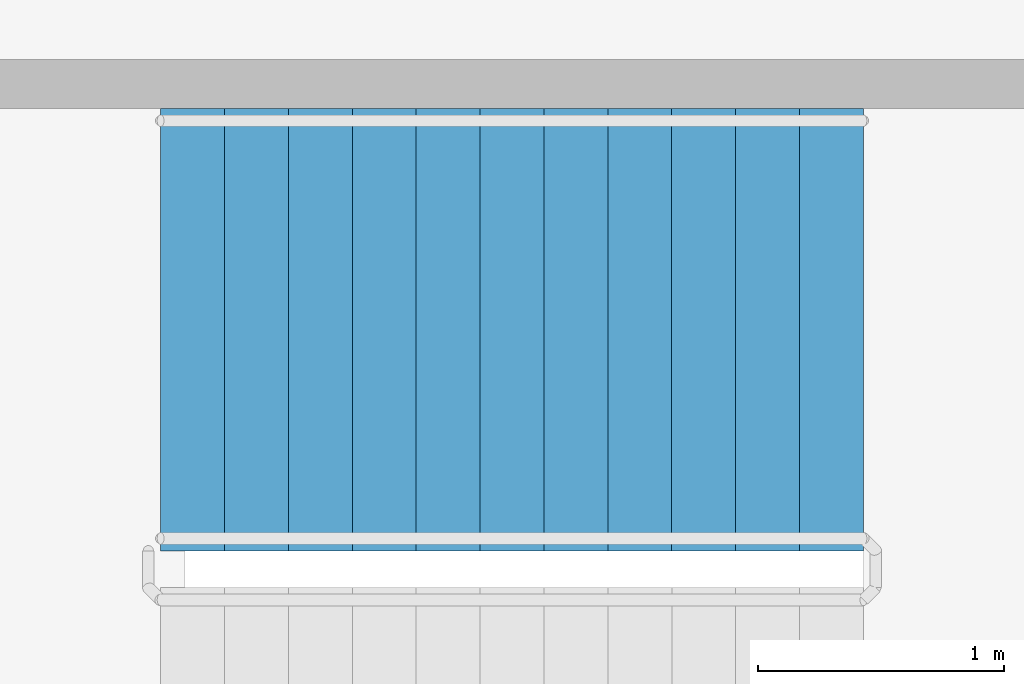
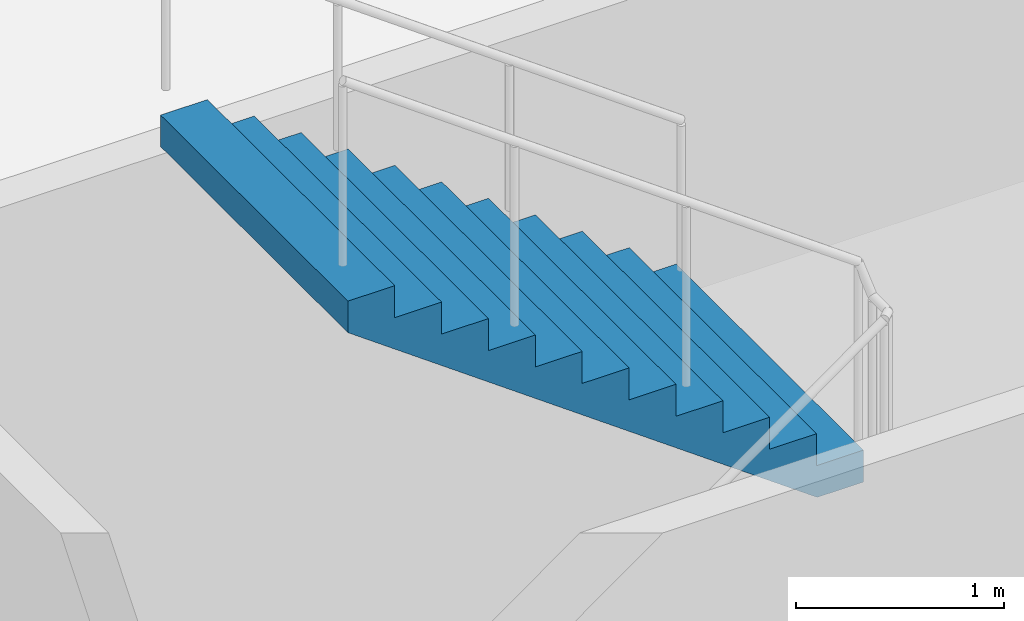
# One storey, part 31 of 51: 1 stair flight, 1 element without a shape of its own.
"""IFC4 building model written with IfcOpenShell, lengths in metres."""

from ifc_helpers import new_model, si_unit, direction, frame, origin, place, context, subcontext, project, spatial, faceted_brep, material, type_object, element, aggregate, save


model = new_model("IFC4")

# Units and contexts
model_context = context("Model", 3, precision=1e-05, world=origin(), true_north=direction((0.0, 1.0)))
body_context = subcontext(model_context, "Body", "Model", "MODEL_VIEW")
ifc_project = project(units=[si_unit("LENGTHUNIT", "METRE"), si_unit("AREAUNIT", "SQUARE_METRE"), si_unit("VOLUMEUNIT", "CUBIC_METRE"), si_unit("PLANEANGLEUNIT", "RADIAN"), si_unit("MASSUNIT", "GRAM", prefix="KILO")], contexts=[model_context])

# Site, building, storey
site_placement = place(None, origin())
site = spatial("IfcSite", under=ifc_project, at=site_placement, CompositionType="ELEMENT")
building_placement = place(site_placement, origin())
building = spatial("IfcBuilding", under=site, at=building_placement, Name="Ipe Terrace Towers", CompositionType="ELEMENT")
storey_placement = place(building_placement, frame((0.0, 0.0, 15.5)))
storey = spatial("IfcBuildingStorey", under=building, at=storey_placement, Name="L03", CompositionType="ELEMENT", Elevation=15.5)

# Stair, stair flight
ifc_material_1 = material(Name="Concrete C30/37", Category="concrete")
stair_type = type_object("IfcStairType", Name="Protected exit stair", PredefinedType="HALF_TURN_STAIR", material=ifc_material_1)
stair_placement = place(storey_placement, origin())
stair = element("IfcStair", 1, at=stair_placement, inside=storey, type_object=stair_type, Name="L03 Podium exit stair PS7", PredefinedType="HALF_TURN_STAIR")
ifc_material_2 = material(Name="Concrete C30/37", Category="concrete")
stair_flight_type = type_object("IfcStairFlightType", Name="Exit stair flight 1800", PredefinedType="STRAIGHT", material=ifc_material_2)
stair_flight_placement = place(storey_placement, frame((-63.330078125, 4.449951171875, 2.25), z_axis=(0.0, 0.0, 1.0), x_axis=(-1.0, 0.0, 0.0)))
stair_flight = element("IfcStairFlight", 2, at=stair_flight_placement, type_object=stair_flight_type, Name="PS7 flight 2", NumberOfRisers=12, NumberOfTreads=11, PredefinedType="STRAIGHT", RiserHeight=0.1875, TreadLength=0.26, context=body_context, shape_type="Brep", body=[
    faceted_brep([(0.25634765625, -0.89990234375, 0.0), (2.860107421875, -0.89990234375, 1.877685546875), (2.860107421875, -0.89990234375, 2.0625), (2.60009765625, -0.89990234375, 2.0625), (2.60009765625, -0.89990234375, 1.875), (2.340087890625, -0.89990234375, 1.875), (2.340087890625, -0.89990234375, 1.6875), (2.080078125, -0.89990234375, 1.6875), (2.080078125, -0.89990234375, 1.5), (1.820068359375, -0.89990234375, 1.5), (1.820068359375, -0.89990234375, 1.3125), (1.56005859375, -0.89990234375, 1.3125), (1.56005859375, -0.89990234375, 1.125), (1.300048828125, -0.89990234375, 1.125), (1.300048828125, -0.89990234375, 0.9375), (1.0400390625, -0.89990234375, 0.9375), (1.0400390625, -0.89990234375, 0.75), (0.780029296875, -0.89990234375, 0.75), (0.780029296875, -0.89990234375, 0.5625), (0.52001953125, -0.89990234375, 0.5625), (0.52001953125, -0.89990234375, 0.375), (0.260009765625, -0.89990234375, 0.375), (0.260009765625, -0.89990234375, 0.1875), (0.0, -0.89990234375, 0.1875), (0.0, -0.89990234375, 0.0), (0.0, 0.89990234375, 0.0), (0.0, 0.89990234375, 0.1875), (0.260009765625, 0.89990234375, 0.1875), (0.260009765625, 0.89990234375, 0.375), (0.52001953125, 0.89990234375, 0.375), (0.52001953125, 0.89990234375, 0.5625), (0.780029296875, 0.89990234375, 0.5625), (0.780029296875, 0.89990234375, 0.75), (1.0400390625, 0.89990234375, 0.75), (1.0400390625, 0.89990234375, 0.9375), (1.300048828125, 0.89990234375, 0.9375), (1.300048828125, 0.89990234375, 1.125), (1.56005859375, 0.89990234375, 1.125), (1.56005859375, 0.89990234375, 1.3125), (1.820068359375, 0.89990234375, 1.3125), (1.820068359375, 0.89990234375, 1.5), (2.080078125, 0.89990234375, 1.5), (2.080078125, 0.89990234375, 1.6875), (2.340087890625, 0.89990234375, 1.6875), (2.340087890625, 0.89990234375, 1.875), (2.60009765625, 0.89990234375, 1.875), (2.60009765625, 0.89990234375, 2.0625), (2.860107421875, 0.89990234375, 2.0625), (2.860107421875, 0.89990234375, 1.877685546875), (0.25634765625, 0.89990234375, 0.0), (0.0, -0.300048828125, 0.1875), (0.0, -0.1201171875, 0.1875), (0.0, -0.06005859375, 0.1875), (0.0, -0.030029296875, 0.1875), (0.0, -0.010009765625, 0.1875), (0.0, 0.0, 0.1875), (0.0, 0.010009765625, 0.1875), (0.0, 0.030029296875, 0.1875), (0.0, 0.06005859375, 0.1875), (0.0, 0.1201171875, 0.1875), (0.0, 0.300048828125, 0.1875), (0.0, 0.300048828125, 0.0), (0.0, 0.1201171875, 0.0), (0.0, 0.06005859375, 0.0), (0.0, 0.030029296875, 0.0), (0.0, 0.010009765625, 0.0), (0.0, 0.0, 0.0), (0.0, -0.010009765625, 0.0), (0.0, -0.030029296875, 0.0), (0.0, -0.06005859375, 0.0), (0.0, -0.1201171875, 0.0), (0.0, -0.300048828125, 0.0), (0.260009765625, -0.300048828125, 0.1875), (0.260009765625, -0.1201171875, 0.1875), (0.260009765625, -0.06005859375, 0.1875), (0.260009765625, -0.030029296875, 0.1875), (0.260009765625, -0.010009765625, 0.1875), (0.260009765625, 0.0, 0.1875), (0.260009765625, 0.010009765625, 0.1875), (0.260009765625, 0.030029296875, 0.1875), (0.260009765625, 0.06005859375, 0.1875), (0.260009765625, 0.1201171875, 0.1875), (0.260009765625, 0.300048828125, 0.1875), (0.260009765625, -0.300048828125, 0.375), (0.260009765625, -0.1201171875, 0.375), (0.260009765625, -0.06005859375, 0.375), (0.260009765625, -0.030029296875, 0.375), (0.260009765625, -0.010009765625, 0.375), (0.260009765625, 0.0, 0.375), (0.260009765625, 0.010009765625, 0.375), (0.260009765625, 0.030029296875, 0.375), (0.260009765625, 0.06005859375, 0.375), (0.260009765625, 0.1201171875, 0.375), (0.260009765625, 0.300048828125, 0.375), (0.52001953125, -0.300048828125, 0.375), (0.52001953125, -0.1201171875, 0.375), (0.52001953125, -0.06005859375, 0.375), (0.52001953125, -0.030029296875, 0.375), (0.52001953125, -0.010009765625, 0.375), (0.52001953125, 0.0, 0.375), (0.52001953125, 0.010009765625, 0.375), (0.52001953125, 0.030029296875, 0.375), (0.52001953125, 0.06005859375, 0.375), (0.52001953125, 0.1201171875, 0.375), (0.52001953125, 0.300048828125, 0.375), (0.52001953125, -0.300048828125, 0.5625), (0.52001953125, -0.1201171875, 0.5625), (0.52001953125, -0.06005859375, 0.5625), (0.52001953125, -0.030029296875, 0.5625), (0.52001953125, -0.010009765625, 0.5625), (0.52001953125, 0.0, 0.5625), (0.52001953125, 0.010009765625, 0.5625), (0.52001953125, 0.030029296875, 0.5625), (0.52001953125, 0.06005859375, 0.5625), (0.52001953125, 0.1201171875, 0.5625), (0.52001953125, 0.300048828125, 0.5625), (0.780029296875, -0.300048828125, 0.5625), (0.780029296875, -0.1201171875, 0.5625), (0.780029296875, -0.06005859375, 0.5625), (0.780029296875, -0.030029296875, 0.5625), (0.780029296875, -0.010009765625, 0.5625), (0.780029296875, 0.0, 0.5625), (0.780029296875, 0.010009765625, 0.5625), (0.780029296875, 0.030029296875, 0.5625), (0.780029296875, 0.06005859375, 0.5625), (0.780029296875, 0.1201171875, 0.5625), (0.780029296875, 0.300048828125, 0.5625), (0.780029296875, -0.300048828125, 0.75), (0.780029296875, -0.1201171875, 0.75), (0.780029296875, -0.06005859375, 0.75), (0.780029296875, -0.030029296875, 0.75), (0.780029296875, -0.010009765625, 0.75), (0.780029296875, 0.0, 0.75), (0.780029296875, 0.010009765625, 0.75), (0.780029296875, 0.030029296875, 0.75), (0.780029296875, 0.06005859375, 0.75), (0.780029296875, 0.1201171875, 0.75), (0.780029296875, 0.300048828125, 0.75), (1.0400390625, -0.300048828125, 0.75), (1.0400390625, -0.1201171875, 0.75), (1.0400390625, -0.06005859375, 0.75), (1.0400390625, -0.030029296875, 0.75), (1.0400390625, -0.010009765625, 0.75), (1.0400390625, 0.0, 0.75), (1.0400390625, 0.010009765625, 0.75), (1.0400390625, 0.030029296875, 0.75), (1.0400390625, 0.06005859375, 0.75), (1.0400390625, 0.1201171875, 0.75), (1.0400390625, 0.300048828125, 0.75), (1.0400390625, -0.300048828125, 0.9375), (1.0400390625, -0.1201171875, 0.9375), (1.0400390625, -0.06005859375, 0.9375), (1.0400390625, -0.030029296875, 0.9375), (1.0400390625, -0.010009765625, 0.9375), (1.0400390625, 0.0, 0.9375), (1.0400390625, 0.010009765625, 0.9375), (1.0400390625, 0.030029296875, 0.9375), (1.0400390625, 0.06005859375, 0.9375), (1.0400390625, 0.1201171875, 0.9375), (1.0400390625, 0.300048828125, 0.9375), (1.300048828125, -0.300048828125, 0.9375), (1.300048828125, -0.1201171875, 0.9375), (1.300048828125, -0.06005859375, 0.9375), (1.300048828125, -0.030029296875, 0.9375), (1.300048828125, -0.010009765625, 0.9375), (1.300048828125, 0.0, 0.9375), (1.300048828125, 0.010009765625, 0.9375), (1.300048828125, 0.030029296875, 0.9375), (1.300048828125, 0.06005859375, 0.9375), (1.300048828125, 0.1201171875, 0.9375), (1.300048828125, 0.300048828125, 0.9375), (1.300048828125, -0.300048828125, 1.125), (1.300048828125, -0.1201171875, 1.125), (1.300048828125, -0.06005859375, 1.125), (1.300048828125, -0.030029296875, 1.125), (1.300048828125, -0.010009765625, 1.125), (1.300048828125, 0.0, 1.125), (1.300048828125, 0.010009765625, 1.125), (1.300048828125, 0.030029296875, 1.125), (1.300048828125, 0.06005859375, 1.125), (1.300048828125, 0.1201171875, 1.125), (1.300048828125, 0.300048828125, 1.125), (1.56005859375, -0.300048828125, 1.125), (1.56005859375, -0.1201171875, 1.125), (1.56005859375, -0.06005859375, 1.125), (1.56005859375, -0.030029296875, 1.125), (1.56005859375, -0.010009765625, 1.125), (1.56005859375, 0.0, 1.125), (1.56005859375, 0.010009765625, 1.125), (1.56005859375, 0.030029296875, 1.125), (1.56005859375, 0.06005859375, 1.125), (1.56005859375, 0.1201171875, 1.125), (1.56005859375, 0.300048828125, 1.125), (1.56005859375, -0.300048828125, 1.3125), (1.56005859375, -0.1201171875, 1.3125), (1.56005859375, -0.06005859375, 1.3125), (1.56005859375, -0.030029296875, 1.3125), (1.56005859375, -0.010009765625, 1.3125), (1.56005859375, 0.0, 1.3125), (1.56005859375, 0.010009765625, 1.3125), (1.56005859375, 0.030029296875, 1.3125), (1.56005859375, 0.06005859375, 1.3125), (1.56005859375, 0.1201171875, 1.3125), (1.56005859375, 0.300048828125, 1.3125), (1.820068359375, -0.300048828125, 1.3125), (1.820068359375, -0.1201171875, 1.3125), (1.820068359375, -0.06005859375, 1.3125), (1.820068359375, -0.030029296875, 1.3125), (1.820068359375, -0.010009765625, 1.3125), (1.820068359375, 0.0, 1.3125), (1.820068359375, 0.010009765625, 1.3125), (1.820068359375, 0.030029296875, 1.3125), (1.820068359375, 0.06005859375, 1.3125), (1.820068359375, 0.1201171875, 1.3125), (1.820068359375, 0.300048828125, 1.3125), (1.820068359375, -0.300048828125, 1.5), (1.820068359375, -0.1201171875, 1.5), (1.820068359375, -0.06005859375, 1.5), (1.820068359375, -0.030029296875, 1.5), (1.820068359375, -0.010009765625, 1.5), (1.820068359375, 0.0, 1.5), (1.820068359375, 0.010009765625, 1.5), (1.820068359375, 0.030029296875, 1.5), (1.820068359375, 0.06005859375, 1.5), (1.820068359375, 0.1201171875, 1.5), (1.820068359375, 0.300048828125, 1.5), (2.080078125, -0.300048828125, 1.5), (2.080078125, -0.1201171875, 1.5), (2.080078125, -0.06005859375, 1.5), (2.080078125, -0.030029296875, 1.5), (2.080078125, -0.010009765625, 1.5), (2.080078125, 0.0, 1.5), (2.080078125, 0.010009765625, 1.5), (2.080078125, 0.030029296875, 1.5), (2.080078125, 0.06005859375, 1.5), (2.080078125, 0.1201171875, 1.5), (2.080078125, 0.300048828125, 1.5), (2.080078125, -0.300048828125, 1.6875), (2.080078125, -0.1201171875, 1.6875), (2.080078125, -0.06005859375, 1.6875), (2.080078125, -0.030029296875, 1.6875), (2.080078125, -0.010009765625, 1.6875), (2.080078125, 0.0, 1.6875), (2.080078125, 0.010009765625, 1.6875), (2.080078125, 0.030029296875, 1.6875), (2.080078125, 0.06005859375, 1.6875), (2.080078125, 0.1201171875, 1.6875), (2.080078125, 0.300048828125, 1.6875), (2.340087890625, -0.300048828125, 1.6875), (2.340087890625, -0.1201171875, 1.6875), (2.340087890625, -0.06005859375, 1.6875), (2.340087890625, -0.030029296875, 1.6875), (2.340087890625, -0.010009765625, 1.6875), (2.340087890625, 0.0, 1.6875), (2.340087890625, 0.010009765625, 1.6875), (2.340087890625, 0.030029296875, 1.6875), (2.340087890625, 0.06005859375, 1.6875), (2.340087890625, 0.1201171875, 1.6875), (2.340087890625, 0.300048828125, 1.6875), (2.340087890625, -0.300048828125, 1.875), (2.340087890625, -0.1201171875, 1.875), (2.340087890625, -0.06005859375, 1.875), (2.340087890625, -0.030029296875, 1.875), (2.340087890625, -0.010009765625, 1.875), (2.340087890625, 0.0, 1.875), (2.340087890625, 0.010009765625, 1.875), (2.340087890625, 0.030029296875, 1.875), (2.340087890625, 0.06005859375, 1.875), (2.340087890625, 0.1201171875, 1.875), (2.340087890625, 0.300048828125, 1.875), (2.60009765625, -0.300048828125, 1.875), (2.60009765625, -0.1201171875, 1.875), (2.60009765625, -0.06005859375, 1.875), (2.60009765625, -0.030029296875, 1.875), (2.60009765625, -0.010009765625, 1.875), (2.60009765625, 0.0, 1.875), (2.60009765625, 0.010009765625, 1.875), (2.60009765625, 0.030029296875, 1.875), (2.60009765625, 0.06005859375, 1.875), (2.60009765625, 0.1201171875, 1.875), (2.60009765625, 0.300048828125, 1.875), (2.60009765625, -0.300048828125, 2.0625), (2.60009765625, -0.1201171875, 2.0625), (2.60009765625, -0.06005859375, 2.0625), (2.60009765625, -0.030029296875, 2.0625), (2.60009765625, -0.010009765625, 2.0625), (2.60009765625, 0.0, 2.0625), (2.60009765625, 0.010009765625, 2.0625), (2.60009765625, 0.030029296875, 2.0625), (2.60009765625, 0.06005859375, 2.0625), (2.60009765625, 0.1201171875, 2.0625), (2.60009765625, 0.300048828125, 2.0625), (2.860107421875, -0.300048828125, 2.0625), (2.860107421875, -0.1201171875, 2.0625), (2.860107421875, -0.06005859375, 2.0625), (2.860107421875, -0.030029296875, 2.0625), (2.860107421875, -0.010009765625, 2.0625), (2.860107421875, 0.0, 2.0625), (2.860107421875, 0.010009765625, 2.0625), (2.860107421875, 0.030029296875, 2.0625), (2.860107421875, 0.06005859375, 2.0625), (2.860107421875, 0.1201171875, 2.0625), (2.860107421875, 0.300048828125, 2.0625), (2.860107421875, -0.300048828125, 1.877685546875), (2.860107421875, -0.1201171875, 1.877685546875), (2.860107421875, -0.06005859375, 1.877685546875), (2.860107421875, -0.030029296875, 1.877685546875), (2.860107421875, -0.010009765625, 1.877685546875), (2.860107421875, 0.0, 1.877685546875), (2.860107421875, 0.010009765625, 1.877685546875), (2.860107421875, 0.030029296875, 1.877685546875), (2.860107421875, 0.06005859375, 1.877685546875), (2.860107421875, 0.1201171875, 1.877685546875), (2.860107421875, 0.300048828125, 1.877685546875), (0.25634765625, -0.300048828125, 0.0), (0.25634765625, -0.1201171875, 0.0), (0.25634765625, -0.06005859375, 0.0), (0.25634765625, -0.030029296875, 0.0), (0.25634765625, -0.010009765625, 0.0), (0.25634765625, 0.0, 0.0), (0.25634765625, 0.010009765625, 0.0), (0.25634765625, 0.030029296875, 0.0), (0.25634765625, 0.06005859375, 0.0), (0.25634765625, 0.1201171875, 0.0), (0.25634765625, 0.300048828125, 0.0)], [[[0, 1, 2, 3, 4, 5, 6, 7, 8, 9, 10, 11, 12, 13, 14, 15, 16, 17, 18, 19, 20, 21, 22, 23, 24]], [[25, 26, 27, 28, 29, 30, 31, 32, 33, 34, 35, 36, 37, 38, 39, 40, 41, 42, 43, 44, 45, 46, 47, 48, 49]], [[23, 50, 51, 52, 53, 54, 55, 56, 57, 58, 59, 60, 26, 25, 61, 62, 63, 64, 65, 66, 67, 68, 69, 70, 71, 24]], [[22, 72, 73, 74, 75, 76, 77, 78, 79, 80, 81, 82, 27, 26, 60, 59, 58, 57, 56, 55, 54, 53, 52, 51, 50, 23]], [[21, 83, 84, 85, 86, 87, 88, 89, 90, 91, 92, 93, 28, 27, 82, 81, 80, 79, 78, 77, 76, 75, 74, 73, 72, 22]], [[20, 94, 95, 96, 97, 98, 99, 100, 101, 102, 103, 104, 29, 28, 93, 92, 91, 90, 89, 88, 87, 86, 85, 84, 83, 21]], [[19, 105, 106, 107, 108, 109, 110, 111, 112, 113, 114, 115, 30, 29, 104, 103, 102, 101, 100, 99, 98, 97, 96, 95, 94, 20]], [[18, 116, 117, 118, 119, 120, 121, 122, 123, 124, 125, 126, 31, 30, 115, 114, 113, 112, 111, 110, 109, 108, 107, 106, 105, 19]], [[17, 127, 128, 129, 130, 131, 132, 133, 134, 135, 136, 137, 32, 31, 126, 125, 124, 123, 122, 121, 120, 119, 118, 117, 116, 18]], [[16, 138, 139, 140, 141, 142, 143, 144, 145, 146, 147, 148, 33, 32, 137, 136, 135, 134, 133, 132, 131, 130, 129, 128, 127, 17]], [[15, 149, 150, 151, 152, 153, 154, 155, 156, 157, 158, 159, 34, 33, 148, 147, 146, 145, 144, 143, 142, 141, 140, 139, 138, 16]], [[14, 160, 161, 162, 163, 164, 165, 166, 167, 168, 169, 170, 35, 34, 159, 158, 157, 156, 155, 154, 153, 152, 151, 150, 149, 15]], [[13, 171, 172, 173, 174, 175, 176, 177, 178, 179, 180, 181, 36, 35, 170, 169, 168, 167, 166, 165, 164, 163, 162, 161, 160, 14]], [[12, 182, 183, 184, 185, 186, 187, 188, 189, 190, 191, 192, 37, 36, 181, 180, 179, 178, 177, 176, 175, 174, 173, 172, 171, 13]], [[11, 193, 194, 195, 196, 197, 198, 199, 200, 201, 202, 203, 38, 37, 192, 191, 190, 189, 188, 187, 186, 185, 184, 183, 182, 12]], [[10, 204, 205, 206, 207, 208, 209, 210, 211, 212, 213, 214, 39, 38, 203, 202, 201, 200, 199, 198, 197, 196, 195, 194, 193, 11]], [[9, 215, 216, 217, 218, 219, 220, 221, 222, 223, 224, 225, 40, 39, 214, 213, 212, 211, 210, 209, 208, 207, 206, 205, 204, 10]], [[8, 226, 227, 228, 229, 230, 231, 232, 233, 234, 235, 236, 41, 40, 225, 224, 223, 222, 221, 220, 219, 218, 217, 216, 215, 9]], [[7, 237, 238, 239, 240, 241, 242, 243, 244, 245, 246, 247, 42, 41, 236, 235, 234, 233, 232, 231, 230, 229, 228, 227, 226, 8]], [[6, 248, 249, 250, 251, 252, 253, 254, 255, 256, 257, 258, 43, 42, 247, 246, 245, 244, 243, 242, 241, 240, 239, 238, 237, 7]], [[5, 259, 260, 261, 262, 263, 264, 265, 266, 267, 268, 269, 44, 43, 258, 257, 256, 255, 254, 253, 252, 251, 250, 249, 248, 6]], [[4, 270, 271, 272, 273, 274, 275, 276, 277, 278, 279, 280, 45, 44, 269, 268, 267, 266, 265, 264, 263, 262, 261, 260, 259, 5]], [[3, 281, 282, 283, 284, 285, 286, 287, 288, 289, 290, 291, 46, 45, 280, 279, 278, 277, 276, 275, 274, 273, 272, 271, 270, 4]], [[2, 292, 293, 294, 295, 296, 297, 298, 299, 300, 301, 302, 47, 46, 291, 290, 289, 288, 287, 286, 285, 284, 283, 282, 281, 3]], [[1, 303, 304, 305, 306, 307, 308, 309, 310, 311, 312, 313, 48, 47, 302, 301, 300, 299, 298, 297, 296, 295, 294, 293, 292, 2]], [[0, 314, 315, 316, 317, 318, 319, 320, 321, 322, 323, 324, 49, 48, 313, 312, 311, 310, 309, 308, 307, 306, 305, 304, 303, 1]], [[24, 71, 70, 69, 68, 67, 66, 65, 64, 63, 62, 61, 25, 49, 324, 323, 322, 321, 320, 319, 318, 317, 316, 315, 314, 0]]]),
])
aggregate(stair, [stair_flight])

save(model, "model.ifc")
